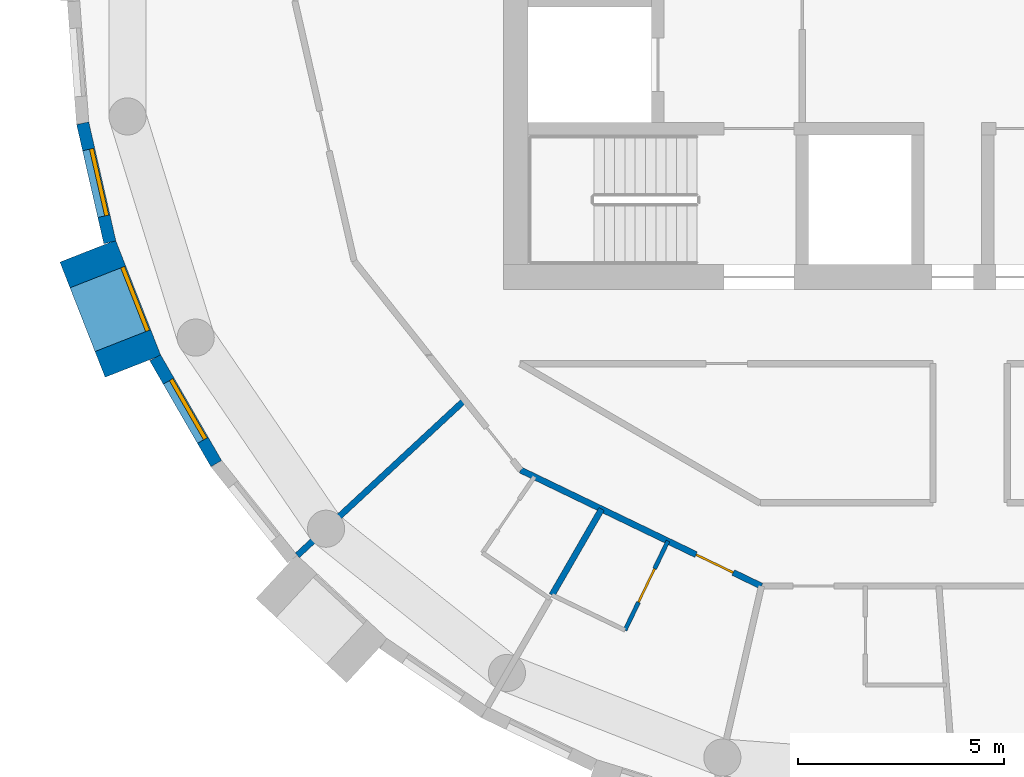
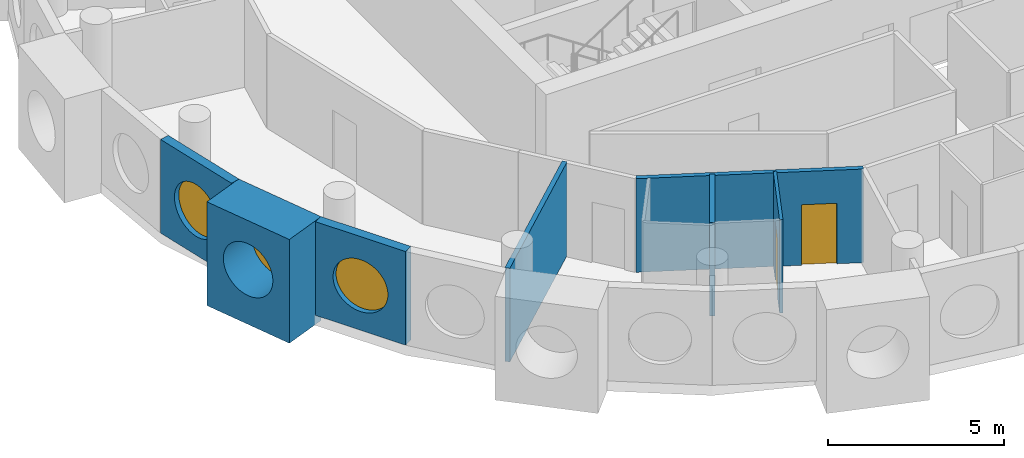
# One storey, part 2 of 13: 7 walls, 3 windows, 2 doors, 5 openings.
"""IFC4 building model written with IfcOpenShell, lengths in metres."""

from ifc_helpers import new_model, si_unit, direction, frame, frame_2d, origin, origin_2d, place, context, subcontext, project, spatial, rectangle, circle, extrude, material, layer, layer_set, type_object, element, fill, save


model = new_model("IFC4")

# Units and contexts
model_context = context("Model", 3, precision=1e-05, world=origin(), true_north=direction((0.0, 1.0)))
body_context = subcontext(model_context, "Body", "Model", "MODEL_VIEW")
ifc_project = project(units=[si_unit("LENGTHUNIT", "METRE"), si_unit("AREAUNIT", "SQUARE_METRE"), si_unit("VOLUMEUNIT", "CUBIC_METRE"), si_unit("PLANEANGLEUNIT", "RADIAN"), si_unit("MASSUNIT", "GRAM", prefix="KILO")], contexts=[model_context])

# Site, building, storey
site_placement = place(None, origin())
site = spatial("IfcSite", under=ifc_project, at=site_placement, CompositionType="ELEMENT")
building_placement = place(site_placement, origin())
building = spatial("IfcBuilding", under=site, at=building_placement, Name="Tracery Tower", CompositionType="ELEMENT")
storey_placement = place(building_placement, frame((0.0, 0.0, 301.800048828125)))
storey = spatial("IfcBuildingStorey", under=building, at=storey_placement, Name="L78", CompositionType="ELEMENT", Elevation=301.800048828125)

# Wall, opening, window
ifc_material_1 = material(Name="Precast concrete C50/60", Category="concrete")
ifc_layer_1 = layer(ifc_material_1, 1.449951171875)
ifc_layer_set_1 = layer_set([ifc_layer_1], Name="Deep-set bay unit 3000 x 3600, slab edge 350")
wall_type_1 = type_object("IfcWallType", Name="Deep-set bay unit 3000 x 3600, slab edge 350", PredefinedType="ELEMENTEDWALL", material=ifc_layer_set_1)
wall_1_placement = place(storey_placement, frame((-19.576171875, -6.071533203125, -0.35009765625), z_axis=(0.0, 0.0, 1.0), x_axis=(0.36537792632, -0.93085926485, 0.0)))
wall_1 = element("IfcWall", 1, at=wall_1_placement, inside=storey, type_object=wall_type_1, Name="Deep-set bay unit 24 at L78", PredefinedType="ELEMENTEDWALL", context=body_context, shape_type="SweptSolid", body=[
    extrude(rectangle(XDim=3.000244140625, YDim=1.449951171875, at=frame_2d((1.5, 0.0))), origin(), (0.0, 0.0, 1.0), 3.60009765625),
])
opening_1_placement = place(wall_1_placement, frame((1.5, 0.0, 1.89990234375)))
opening_1 = element("IfcOpeningElement", 2, at=opening_1_placement, cuts=wall_1, Name="Opening WN1", PredefinedType="OPENING", context=body_context, shape_type="SweptSolid", body=[
    extrude(circle(Radius=0.9000244140625, at=origin_2d()), frame((0.0, 0.73486328125, 0.0), z_axis=(0.0, -1.0, 0.0), x_axis=(1.0, 0.0, 0.0)), (0.0, 0.0, 1.0), 1.469970703125),
])
ifc_material_2 = material(Name="Aluminium frame with tinted double glazing", Category="aluminium")
window_type = type_object("IfcWindowType", Name="Round window 1800", PartitioningType="SINGLE_PANEL", PredefinedType="WINDOW", material=ifc_material_2)
window_1_placement = place(opening_1_placement, origin())
window_1 = element("IfcWindow", 3, at=window_1_placement, inside=storey, type_object=window_type, Name="Round window 24 at L78", OverallHeight=1.800048828125, OverallWidth=1.800048828125, PartitioningType="SINGLE_PANEL", PredefinedType="WINDOW", context=body_context, shape_type="SweptSolid", body=[
    extrude(circle(Radius=0.9000244140625, at=origin_2d()), frame((0.0, 0.69482421875, 0.0), z_axis=(0.0, -1.0, 0.0), x_axis=(1.0, 0.0, 0.0)), (0.0, 0.0, 1.0), 0.10009765625),
])
fill(opening_1, window_1)

ifc_material_3 = material(Name="Precast concrete C50/60", Category="concrete")
ifc_layer_2 = layer(ifc_material_3, 0.300048828125)
ifc_layer_set_2 = layer_set([ifc_layer_2], Name="Facade panel 3000 x 3250")
wall_type_2 = type_object("IfcWallType", Name="Facade panel 3000 x 3250", PredefinedType="SOLIDWALL", material=ifc_layer_set_2)
wall_2_placement = place(storey_placement, frame((-19.69921875, -2.96923828125, 0.0), z_axis=(0.0, 0.0, 1.0), x_axis=(0.222529389789, -0.974925982155, 0.0)))
wall_2 = element("IfcWall", 4, at=wall_2_placement, inside=storey, type_object=wall_type_2, Name="Facade panel 23 at L78", PredefinedType="SOLIDWALL", context=body_context, shape_type="SweptSolid", body=[
    extrude(rectangle(XDim=2.962158203125, YDim=0.300048828125, at=frame_2d((1.48095703125, 0.0))), origin(), (0.0, 0.0, 1.0), 3.25),
])
opening_2_placement = place(wall_2_placement, frame((1.48095703125, 0.0, 1.5498046875)))
opening_2 = element("IfcOpeningElement", 5, at=opening_2_placement, cuts=wall_2, Name="Opening WN1", PredefinedType="OPENING", context=body_context, shape_type="SweptSolid", body=[
    extrude(circle(Radius=0.9000244140625, at=origin_2d()), frame((0.0, 0.159912109375, 0.0), z_axis=(0.0, -1.0, 0.0), x_axis=(1.0, 0.0, 0.0)), (0.0, 0.0, 1.0), 0.320068359375),
])
window_2_placement = place(opening_2_placement, origin())
window_2 = element("IfcWindow", 6, at=window_2_placement, inside=storey, type_object=window_type, Name="Round window 23 at L78", OverallHeight=1.800048828125, OverallWidth=1.800048828125, PartitioningType="SINGLE_PANEL", PredefinedType="WINDOW", context=body_context, shape_type="SweptSolid", body=[
    extrude(circle(Radius=0.9000244140625, at=origin_2d()), frame((0.0, 0.1201171875, 0.0), z_axis=(0.0, -1.0, 0.0), x_axis=(1.0, 0.0, 0.0)), (0.0, 0.0, 1.0), 0.10009765625),
])
fill(opening_2, window_2)

wall_3_placement = place(storey_placement, frame((-17.941162109375, -8.656982421875, 0.0), z_axis=(0.0, 0.0, 1.0), x_axis=(0.499950756475, -0.86605383268, 0.0)))
wall_3 = element("IfcWall", 7, at=wall_3_placement, inside=storey, type_object=wall_type_2, Name="Facade panel 25 at L78", PredefinedType="SOLIDWALL", context=body_context, shape_type="SweptSolid", body=[
    extrude(rectangle(XDim=2.962158203125, YDim=0.300048828125, at=frame_2d((1.48095703125, 0.0))), origin(), (0.0, 0.0, 1.0), 3.25),
])
opening_3_placement = place(wall_3_placement, frame((1.48095703125, 0.0, 1.5498046875)))
opening_3 = element("IfcOpeningElement", 8, at=opening_3_placement, cuts=wall_3, Name="Opening WN1", PredefinedType="OPENING", context=body_context, shape_type="SweptSolid", body=[
    extrude(circle(Radius=0.9000244140625, at=origin_2d()), frame((0.0, 0.159912109375, 0.0), z_axis=(0.0, -1.0, 0.0), x_axis=(1.0, 0.0, 0.0)), (0.0, 0.0, 1.0), 0.320068359375),
])
window_3_placement = place(opening_3_placement, origin())
window_3 = element("IfcWindow", 9, at=window_3_placement, inside=storey, type_object=window_type, Name="Round window 25 at L78", OverallHeight=1.800048828125, OverallWidth=1.800048828125, PartitioningType="SINGLE_PANEL", PredefinedType="WINDOW", context=body_context, shape_type="SweptSolid", body=[
    extrude(circle(Radius=0.9000244140625, at=origin_2d()), frame((0.0, 0.1201171875, 0.0), z_axis=(0.0, -1.0, 0.0), x_axis=(1.0, 0.0, 0.0)), (0.0, 0.0, 1.0), 0.10009765625),
])
fill(opening_3, window_3)

# Wall, opening, door
ifc_material_4 = material(Name="Plasterboard on steel studs", Category="steel")
ifc_layer_3 = layer(ifc_material_4, 0.10009765625)
ifc_layer_set_3 = layer_set([ifc_layer_3], Name="Partition 100 wet wall")
wall_type_3 = type_object("IfcWallType", Name="Partition 100 wet wall", PredefinedType="PARTITIONING", material=ifc_layer_set_3)
wall_4_placement = place(storey_placement, frame((-6.548095703125, -15.261962890625, 0.0), z_axis=(0.0, 0.0, 1.0), x_axis=(0.433855388624, 0.900982520231, 0.0)))
wall_4 = element("IfcWall", 10, at=wall_4_placement, inside=storey, type_object=wall_type_3, Name="Wet wall RC7-066", PredefinedType="PARTITIONING", context=body_context, shape_type="SweptSolid", body=[
    extrude(rectangle(XDim=2.3994140625, YDim=0.10009765625, at=frame_2d((1.19970703125, 0.0))), origin(), (0.0, 0.0, 1.0), 3.25),
])
opening_4_placement = place(wall_4_placement, frame((0.75, 0.0, 0.0)))
opening_4 = element("IfcOpeningElement", 11, at=opening_4_placement, cuts=wall_4, Name="Opening RC7-17", PredefinedType="OPENING", context=body_context, shape_type="SweptSolid", body=[
    extrude(rectangle(XDim=0.89990234375, YDim=2.0400390625, at=frame_2d((0.449951171875, 1.02001953125))), frame((0.0, 0.050048828125, 0.0), z_axis=(0.0, -1.0, 0.0), x_axis=(1.0, 0.0, 0.0)), (0.0, 0.0, 1.0), 0.10009765625),
])
ifc_material_5 = material(Name="Timber door leaf", Category="wood")
door_type_1 = type_object("IfcDoorType", Name="Door en-suite 900", OperationType="NOTDEFINED", PredefinedType="DOOR", material=ifc_material_5)
door_1_placement = place(opening_4_placement, origin())
door_1 = element("IfcDoor", 12, at=door_1_placement, inside=storey, type_object=door_type_1, Name="En-suite door RC7-17", OperationType="SINGLE_SWING_RIGHT", OverallHeight=2.0400390625, OverallWidth=0.89990234375, PredefinedType="DOOR", context=body_context, shape_type="SweptSolid", body=[
    extrude(rectangle(XDim=0.89990234375, YDim=2.0400390625, at=frame_2d((0.449951171875, 1.02001953125))), frame((0.0, 0.02490234375, 0.0), z_axis=(0.0, -1.0, 0.0), x_axis=(1.0, 0.0, 0.0)), (0.0, 0.0, 1.0), 0.050048828125),
])
fill(opening_4, door_1)

# Walls
ifc_material_6 = material(Name="Plasterboard on steel studs", Category="steel")
ifc_layer_4 = layer(ifc_material_6, 0.14990234375)
ifc_layer_set_4 = layer_set([ifc_layer_4], Name="Partition 150 acoustic unit wall")
wall_type_4 = type_object("IfcWallType", Name="Partition 150 acoustic unit wall", PredefinedType="PARTITIONING", material=ifc_layer_set_4)
wall_5_placement = place(storey_placement, frame((-14.492919921875, -13.447998046875, 0.0), z_axis=(0.0, 0.0, 1.0), x_axis=(0.73295202722, 0.68028032883, 0.0)))
element("IfcWall", 13, at=wall_5_placement, inside=storey, type_object=wall_type_4, Name="Unit wall RC7-060", PredefinedType="PARTITIONING", context=body_context, shape_type="SweptSolid", body=[
    extrude(rectangle(XDim=5.5390625, YDim=0.14990234375, at=frame_2d((2.76953125, 0.0))), origin(), (0.0, 0.0, 1.0), 3.25),
])
wall_6_placement = place(storey_placement, frame((-8.321044921875, -14.412109375, 0.0), z_axis=(0.0, 0.0, 1.0), x_axis=(0.500017667814, 0.866015203027, 0.0)))
element("IfcWall", 14, at=wall_6_placement, inside=storey, type_object=wall_type_4, Name="Unit wall RC7-064", PredefinedType="PARTITIONING", context=body_context, shape_type="SweptSolid", body=[
    extrude(rectangle(XDim=2.41015625, YDim=0.14990234375, at=frame_2d((1.205078125, 0.0))), origin(), (0.0, 0.0, 1.0), 3.25),
])

# Wall, opening, door
ifc_material_7 = material(Name="Plasterboard on steel studs", Category="steel")
ifc_layer_5 = layer(ifc_material_7, 0.14990234375)
ifc_layer_set_5 = layer_set([ifc_layer_5], Name="Partition 150 corridor wall")
wall_type_5 = type_object("IfcWallType", Name="Partition 150 corridor wall", PredefinedType="PARTITIONING", material=ifc_layer_set_5)
wall_7_placement = place(storey_placement, frame((-9.075927734375, -11.381103515625, 0.0), z_axis=(0.0, 0.0, 1.0), x_axis=(0.900778421649, -0.434278983018, 0.0)))
wall_7 = element("IfcWall", 15, at=wall_7_placement, inside=storey, type_object=wall_type_5, Name="Corridor wall RC7-039", PredefinedType="PARTITIONING", context=body_context, shape_type="SweptSolid", body=[
    extrude(rectangle(XDim=6.478515625, YDim=0.14990234375, at=frame_2d((3.2392578125, 0.0))), origin(), (0.0, 0.0, 1.0), 3.25),
])
opening_5_placement = place(wall_7_placement, frame((4.718505859375, 0.0, 0.0)))
opening_5 = element("IfcOpeningElement", 16, at=opening_5_placement, cuts=wall_7, Name="Opening RC7-18", PredefinedType="OPENING", context=body_context, shape_type="SweptSolid", body=[
    extrude(rectangle(XDim=1.0, YDim=2.10009765625, at=frame_2d((0.5, 1.050048828125))), frame((0.0, 0.074951171875, 0.0), z_axis=(0.0, -1.0, 0.0), x_axis=(1.0, 0.0, 0.0)), (0.0, 0.0, 1.0), 0.14990234375),
])
ifc_material_8 = material(Name="Timber door leaf", Category="wood")
door_type_2 = type_object("IfcDoorType", Name="Door unit entrance 1000", OperationType="NOTDEFINED", PredefinedType="DOOR", material=ifc_material_8)
door_2_placement = place(opening_5_placement, origin())
door_2 = element("IfcDoor", 17, at=door_2_placement, inside=storey, type_object=door_type_2, Name="Unit entrance door RC7-18", OperationType="SINGLE_SWING_LEFT", OverallHeight=2.10009765625, OverallWidth=1.0, PredefinedType="DOOR", context=body_context, shape_type="SweptSolid", body=[
    extrude(rectangle(XDim=1.0, YDim=2.10009765625, at=frame_2d((0.5, 1.050048828125))), frame((0.0, 0.02490234375, 0.0), z_axis=(0.0, -1.0, 0.0), x_axis=(1.0, 0.0, 0.0)), (0.0, 0.0, 1.0), 0.050048828125),
])
fill(opening_5, door_2)

save(model, "model.ifc")
